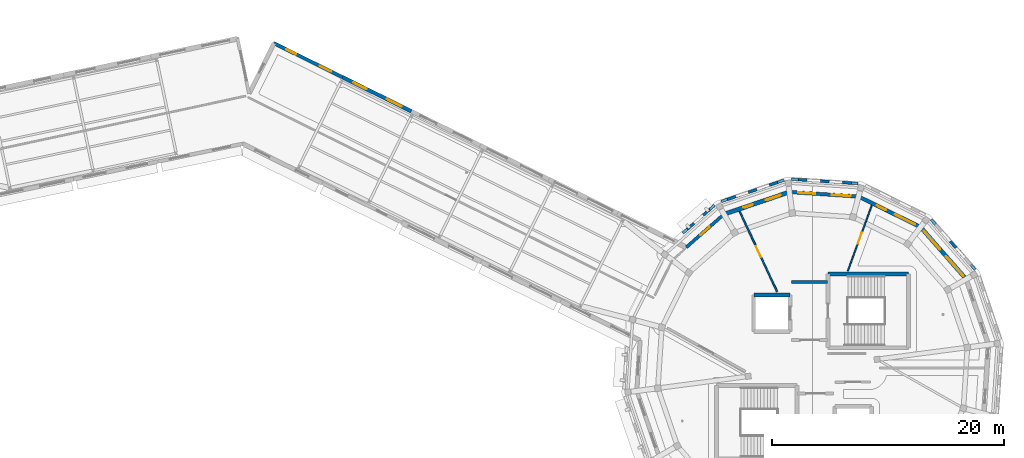
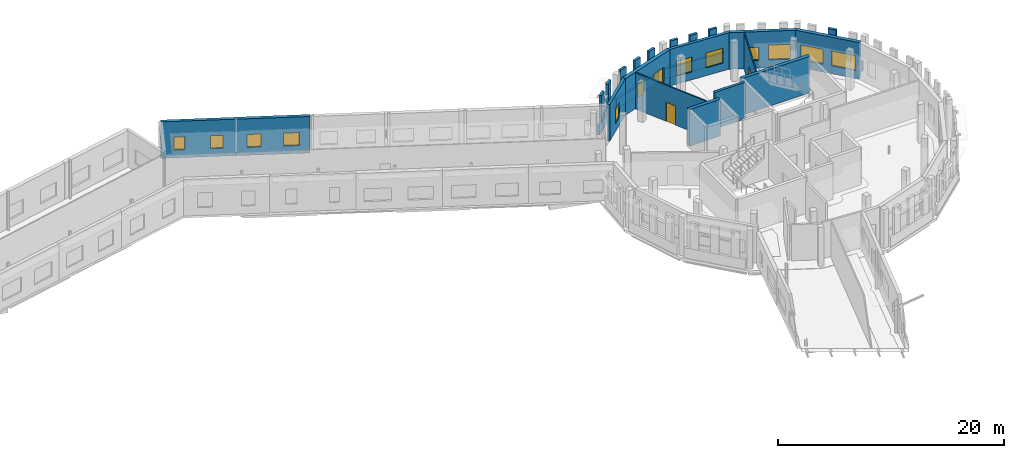
# One storey, part 71 of 90: 25 walls, 13 windows, 2 doors, 15 openings.
"""IFC4 building model written with IfcOpenShell, lengths in metres."""

from ifc_helpers import new_model, si_unit, direction, frame, frame_2d, origin, place, context, subcontext, project, spatial, rectangle, extrude, material, layer, layer_set, type_object, element, fill, save


model = new_model("IFC4")

# Units and contexts
model_context = context("Model", 3, precision=1e-05, world=origin(), true_north=direction((0.0, 1.0)))
body_context = subcontext(model_context, "Body", "Model", "MODEL_VIEW")
ifc_project = project(units=[si_unit("LENGTHUNIT", "METRE"), si_unit("AREAUNIT", "SQUARE_METRE"), si_unit("VOLUMEUNIT", "CUBIC_METRE"), si_unit("PLANEANGLEUNIT", "RADIAN"), si_unit("MASSUNIT", "GRAM", prefix="KILO")], contexts=[model_context])

# Site, building, storey
site_placement = place(None, origin())
site = spatial("IfcSite", under=ifc_project, at=site_placement, CompositionType="ELEMENT")
building_placement = place(site_placement, origin())
building = spatial("IfcBuilding", under=site, at=building_placement, Name="Wrenclough Park School", CompositionType="ELEMENT")
storey_placement = place(building_placement, frame((0.0, 0.0, 8.39990234375)))
storey = spatial("IfcBuildingStorey", under=building, at=storey_placement, Name="L02", CompositionType="ELEMENT", Elevation=8.39990234375)

# Walls
ifc_material_1 = material(Name="Perforated open-bond Staffordshire and Manchester brick screen pier", Category="masonry")
ifc_layer_1 = layer(ifc_material_1, 0.2451171875)
ifc_layer_set_1 = layer_set([ifc_layer_1], Name="Perforated open-bond Staffordshire and Manchester brick screen pier")
wall_type_1 = type_object("IfcWallType", Name="ENV-BS-PR245", PredefinedType="ELEMENTEDWALL", material=ifc_layer_set_1)
wall_1_placement = place(storey_placement, frame((186.856201171875, 103.830078125, 1.090087890625), z_axis=(0.0, 0.0, 1.0), x_axis=(-0.659345470196, 0.751840109951, 0.0)))
element("IfcWall", 1, at=wall_1_placement, inside=storey, type_object=wall_type_1, Name="D5 L02 perforated brick screen pier 0590", PredefinedType="ELEMENTEDWALL", context=body_context, shape_type="SweptSolid", body=[
    extrude(rectangle(XDim=0.76025390625, YDim=0.2451171875, at=frame_2d((0.380126953125, 0.0))), origin(), (0.0, 0.0, 1.0), 2.85009765625),
])
for number, where, z_axis, x_axis, name in (
    (2, (177.8388671875, 109.416748046875, 1.090087890625), (0.0, 0.0, 1.0), (-0.997850066036, 0.065538124105, 0.0), "D5 L02 perforated brick screen pier 0595"),
    (3, (175.93212890625, 109.541748046875, 1.090087890625), (0.0, 0.0, 1.0), (-0.997850066036, 0.065538124105, 0.0), "D5 L02 perforated brick screen pier 0596"),
    (4, (174.025390625, 109.666748046875, 1.090087890625), (0.0, 0.0, 1.0), (-0.997850066036, 0.065538124105, 0.0), "D5 L02 perforated brick screen pier 0597"),
):
    element("IfcWall", number, at=place(storey_placement, frame(where, z_axis=z_axis, x_axis=x_axis)), inside=storey, type_object=wall_type_1, Name=name, PredefinedType="ELEMENTEDWALL", context=body_context, shape_type="SweptSolid", body=[
        extrude(rectangle(XDim=0.760009765625, YDim=0.2451171875, at=frame_2d((0.3798828125, 0.0))), origin(), (0.0, 0.0, 1.0), 2.85009765625),
    ])
wall_2_placement = place(storey_placement, frame((171.49365234375, 109.48291015625, 1.090087890625), z_axis=(0.0, 0.0, 1.0), x_axis=(-0.946966478525, -0.321332364617, 0.0)))
element("IfcWall", 5, at=wall_2_placement, inside=storey, type_object=wall_type_1, Name="D5 L02 perforated brick screen pier 0598", PredefinedType="ELEMENTEDWALL", context=body_context, shape_type="SweptSolid", body=[
    extrude(rectangle(XDim=0.759765625, YDim=0.2451171875, at=frame_2d((0.3798828125, 0.0))), origin(), (0.0, 0.0, 1.0), 2.85009765625),
])
wall_3_placement = place(storey_placement, frame((169.684326171875, 108.86865234375, 1.090087890625), z_axis=(0.0, 0.0, 1.0), x_axis=(-0.946999642396, -0.32123461411, 0.0)))
element("IfcWall", 6, at=wall_3_placement, inside=storey, type_object=wall_type_1, Name="D5 L02 perforated brick screen pier 0599", PredefinedType="ELEMENTEDWALL", context=body_context, shape_type="SweptSolid", body=[
    extrude(rectangle(XDim=0.760009765625, YDim=0.2451171875, at=frame_2d((0.3798828125, 0.0))), origin(), (0.0, 0.0, 1.0), 2.85009765625),
])
wall_4_placement = place(storey_placement, frame((167.875, 108.25439453125, 1.090087890625), z_axis=(0.0, 0.0, 1.0), x_axis=(-0.946966478525, -0.321332364617, 0.0)))
element("IfcWall", 7, at=wall_4_placement, inside=storey, type_object=wall_type_1, Name="D5 L02 perforated brick screen pier 0600", PredefinedType="ELEMENTEDWALL", context=body_context, shape_type="SweptSolid", body=[
    extrude(rectangle(XDim=0.759765625, YDim=0.2451171875, at=frame_2d((0.3798828125, 0.0))), origin(), (0.0, 0.0, 1.0), 2.85009765625),
])
for number, where, z_axis, x_axis, name in (
    (8, (165.64501953125, 107.14990234375, 1.090087890625), (0.0, 0.0, 1.0), (-0.75189894603, -0.659278374406, 0.0), "D5 L02 perforated brick screen pier 0601"),
    (9, (164.2861328125, 105.958251953125, 1.090087890625), (0.0, 0.0, 1.0), (-0.751759112871, -0.659437818308, 0.0), "D5 L02 perforated brick screen pier 0602"),
):
    element("IfcWall", number, at=place(storey_placement, frame(where, z_axis=z_axis, x_axis=x_axis)), inside=storey, type_object=wall_type_1, Name=name, PredefinedType="ELEMENTEDWALL", context=body_context, shape_type="SweptSolid", body=[
        extrude(rectangle(XDim=0.759033203125, YDim=0.2451171875, at=frame_2d((0.37939453125, 0.0))), origin(), (0.0, 0.0, 1.0), 2.85009765625),
    ])
ifc_material_2 = material(Name="Open-bond Manchester multi-stock brick spandrel screen", Category="masonry")
ifc_layer_2 = layer(ifc_material_2, 0.22509765625)
ifc_layer_set_2 = layer_set([ifc_layer_2], Name="Open-bond Manchester multi-stock brick spandrel screen")
wall_type_2 = type_object("IfcWallType", Name="ENV-BS-SP225", PredefinedType="ELEMENTEDWALL", material=ifc_layer_set_2)
wall_5_placement = place(storey_placement, frame((188.495361328125, 101.961181640625, 0.0), z_axis=(0.0, 0.0, 1.0), x_axis=(-0.659360536521, 0.751826896884, 0.0)))
element("IfcWall", 10, at=wall_5_placement, inside=storey, type_object=wall_type_2, Name="D5 L02 open-bond brick screen spandrel 0161", PredefinedType="ELEMENTEDWALL", context=body_context, shape_type="SweptSolid", body=[
    extrude(rectangle(XDim=5.732177734375, YDim=0.22509765625, at=frame_2d((2.8662109375, 0.0))), origin(), (0.0, 0.0, 1.0), 1.090087890625),
])
wall_6_placement = place(storey_placement, frame((178.4130859375, 109.379150390625, 0.0), z_axis=(0.0, 0.0, 1.0), x_axis=(-0.99785804298, 0.065416558003, 0.0)))
element("IfcWall", 11, at=wall_6_placement, inside=storey, type_object=wall_type_2, Name="D5 L02 open-bond brick screen spandrel 0163", PredefinedType="ELEMENTEDWALL", context=body_context, shape_type="SweptSolid", body=[
    extrude(rectangle(XDim=5.732421875, YDim=0.22509765625, at=frame_2d((2.8662109375, 0.0))), origin(), (0.0, 0.0, 1.0), 1.090087890625),
])
wall_7_placement = place(storey_placement, frame((172.03857421875, 109.66796875, 0.0), z_axis=(0.0, 0.0, 1.0), x_axis=(-0.946918286925, -0.321474350277, 0.0)))
element("IfcWall", 12, at=wall_7_placement, inside=storey, type_object=wall_type_2, Name="D5 L02 open-bond brick screen spandrel 0164", PredefinedType="ELEMENTEDWALL", context=body_context, shape_type="SweptSolid", body=[
    extrude(rectangle(XDim=5.732177734375, YDim=0.22509765625, at=frame_2d((2.8662109375, 0.0))), origin(), (0.0, 0.0, 1.0), 1.090087890625),
])
wall_8_placement = place(storey_placement, frame((166.038818359375, 107.495361328125, 0.0), z_axis=(0.0, 0.0, 1.0), x_axis=(-0.751831370043, -0.659355436028, 0.0)))
element("IfcWall", 13, at=wall_8_placement, inside=storey, type_object=wall_type_2, Name="D5 L02 open-bond brick screen spandrel 0165", PredefinedType="ELEMENTEDWALL", context=body_context, shape_type="SweptSolid", body=[
    extrude(rectangle(XDim=3.6142578125, YDim=0.22509765625, at=frame_2d((1.80712890625, 0.0))), origin(), (0.0, 0.0, 1.0), 1.090087890625),
])

# Wall, opening, window
ifc_material_3 = material(Name="Link wing brick-faced cavity wall Concrete C32/40", Category="masonry")
ifc_layer_3 = layer(ifc_material_3, 0.27490234375)
ifc_layer_set_3 = layer_set([ifc_layer_3], Name="Link wing brick-faced cavity wall Concrete C32/40")
wall_type_3 = type_object("IfcWallType", Name="ENV-EW-275", PredefinedType="SOLIDWALL", material=ifc_layer_set_3)
wall_9_placement = place(storey_placement, frame((163.61572265625, 103.884521484375, 0.0), z_axis=(0.0, 0.0, 1.0), x_axis=(0.751801904745, 0.659389032379, 0.0)))
wall_9 = element("IfcWall", 14, at=wall_9_placement, inside=storey, type_object=wall_type_3, Name="L02 insulated brick external wall 0182", PredefinedType="SOLIDWALL", context=body_context, shape_type="SweptSolid", body=[
    extrude(rectangle(XDim=4.31689453125, YDim=0.27490234375, at=frame_2d((2.158447265625, 0.0))), origin(), (0.0, 0.0, 1.0), 3.940185546875),
])
opening_1_placement = place(wall_9_placement, frame((1.63330078125, 0.0, 0.85009765625)))
opening_1 = element("IfcOpeningElement", 15, at=opening_1_placement, cuts=wall_9, Name="Opening WN-14", PredefinedType="OPENING", context=body_context, shape_type="SweptSolid", body=[
    extrude(rectangle(XDim=1.050048828125, YDim=1.60009765625, at=frame_2d((0.52490234375, 0.800048828125))), frame((0.0, 0.1474609375, 0.0), z_axis=(0.0, -1.0, 0.0), x_axis=(1.0, 0.0, 0.0)), (0.0, 0.0, 1.0), 0.294921875),
])
ifc_material_4 = material(Name="Thermally broken aluminium and double-glazed low-e glass", Category="aluminium")
window_type_1 = type_object("IfcWindowType", Name="ENV-WN-14", PartitioningType="SINGLE_PANEL", PredefinedType="WINDOW", material=ifc_material_4)
window_1_placement = place(opening_1_placement, origin())
window_1 = element("IfcWindow", 16, at=window_1_placement, inside=storey, type_object=window_type_1, Name="L02 scheduled facade window 0293", OverallHeight=1.60009765625, OverallWidth=1.050048828125, PartitioningType="SINGLE_PANEL", PredefinedType="WINDOW", context=body_context, shape_type="SweptSolid", body=[
    extrude(rectangle(XDim=1.050048828125, YDim=1.60009765625, at=frame_2d((0.52490234375, 0.800048828125))), frame((0.0, 0.030029296875, 0.0), z_axis=(0.0, -1.0, 0.0), x_axis=(1.0, 0.0, 0.0)), (0.0, 0.0, 1.0), 0.06005859375),
])
fill(opening_1, window_1)

# Wall, openings, windows
ifc_material_5 = material(Name="Manchester multi-stock brick and Concrete C32/40 inner leaf", Category="masonry")
ifc_layer_4 = layer(ifc_material_5, 0.300048828125)
ifc_layer_set_4 = layer_set([ifc_layer_4], Name="Manchester multi-stock brick and Concrete C32/40 inner leaf")
wall_type_4 = type_object("IfcWallType", Name="ENV-EW-300", PredefinedType="SOLIDWALL", material=ifc_layer_set_4)
wall_10_placement = place(storey_placement, frame((128.094482421875, 121.4619140625, 0.0), z_axis=(0.0, 0.0, 1.0), x_axis=(0.896274950862, -0.443498830277, 0.0)))
wall_10 = element("IfcWall", 17, at=wall_10_placement, inside=storey, type_object=wall_type_4, Name="L02 insulated brick external wall 0176", PredefinedType="SOLIDWALL", context=body_context, shape_type="SweptSolid", body=[
    extrude(rectangle(XDim=6.605224609375, YDim=0.300048828125, at=frame_2d((3.302734375, 0.0))), origin(), (0.0, 0.0, 1.0), 3.940185546875),
])
opening_2_placement = place(wall_10_placement, frame((1.176513671875, 0.0, 0.85009765625)))
opening_2 = element("IfcOpeningElement", 18, at=opening_2_placement, cuts=wall_10, Name="Opening WN-02", PredefinedType="OPENING", context=body_context, shape_type="SweptSolid", body=[
    extrude(rectangle(XDim=0.949951171875, YDim=1.39990234375, at=frame_2d((0.47509765625, 0.699951171875))), frame((0.0, 0.159912109375, 0.0), z_axis=(0.0, -1.0, 0.0), x_axis=(1.0, 0.0, 0.0)), (0.0, 0.0, 1.0), 0.320068359375),
])
opening_3_placement = place(wall_10_placement, frame((4.404052734375, 0.0, 0.85009765625)))
opening_3 = element("IfcOpeningElement", 19, at=opening_3_placement, cuts=wall_10, Name="Opening WN-03", PredefinedType="OPENING", context=body_context, shape_type="SweptSolid", body=[
    extrude(rectangle(XDim=1.10009765625, YDim=1.39990234375, at=frame_2d((0.550048828125, 0.699951171875))), frame((0.0, 0.159912109375, 0.0), z_axis=(0.0, -1.0, 0.0), x_axis=(1.0, 0.0, 0.0)), (0.0, 0.0, 1.0), 0.320068359375),
])
window_type_2 = type_object("IfcWindowType", Name="ENV-WN-02", PartitioningType="SINGLE_PANEL", PredefinedType="WINDOW", material=ifc_material_4)
window_2_placement = place(opening_2_placement, origin())
window_2 = element("IfcWindow", 20, at=window_2_placement, inside=storey, type_object=window_type_2, Name="L02 scheduled facade window 0281", OverallHeight=1.39990234375, OverallWidth=0.949951171875, PartitioningType="SINGLE_PANEL", PredefinedType="WINDOW", context=body_context, shape_type="SweptSolid", body=[
    extrude(rectangle(XDim=0.949951171875, YDim=1.39990234375, at=frame_2d((0.47509765625, 0.699951171875))), frame((0.0, 0.030029296875, 0.0), z_axis=(0.0, -1.0, 0.0), x_axis=(1.0, 0.0, 0.0)), (0.0, 0.0, 1.0), 0.06005859375),
])
fill(opening_2, window_2)
window_type_3 = type_object("IfcWindowType", Name="ENV-WN-03", PartitioningType="SINGLE_PANEL", PredefinedType="WINDOW", material=ifc_material_4)
window_3_placement = place(opening_3_placement, origin())
window_3 = element("IfcWindow", 21, at=window_3_placement, inside=storey, type_object=window_type_3, Name="L02 scheduled facade window 0282", OverallHeight=1.39990234375, OverallWidth=1.10009765625, PartitioningType="SINGLE_PANEL", PredefinedType="WINDOW", context=body_context, shape_type="SweptSolid", body=[
    extrude(rectangle(XDim=1.10009765625, YDim=1.39990234375, at=frame_2d((0.550048828125, 0.699951171875))), frame((0.0, 0.030029296875, 0.0), z_axis=(0.0, -1.0, 0.0), x_axis=(1.0, 0.0, 0.0)), (0.0, 0.0, 1.0), 0.06005859375),
])
fill(opening_3, window_3)

wall_11_placement = place(storey_placement, frame((172.505859375, 108.64697265625, 0.0), z_axis=(0.0, 0.0, 1.0), x_axis=(0.997858658418, -0.065407169492, 0.0)))
wall_11 = element("IfcWall", 22, at=wall_11_placement, inside=storey, type_object=wall_type_4, Name="L02 insulated brick external wall 0184", PredefinedType="SOLIDWALL", context=body_context, shape_type="SweptSolid", body=[
    extrude(rectangle(XDim=5.9609375, YDim=0.300048828125, at=frame_2d((2.98046875, 0.0))), origin(), (0.0, 0.0, 1.0), 3.940185546875),
])
opening_4_placement = place(wall_11_placement, frame((0.740234375, 0.0, 0.85009765625)))
opening_4 = element("IfcOpeningElement", 23, at=opening_4_placement, cuts=wall_11, Name="Opening WN-17", PredefinedType="OPENING", context=body_context, shape_type="SweptSolid", body=[
    extrude(rectangle(XDim=1.5, YDim=1.60009765625, at=frame_2d((0.75, 0.800048828125))), frame((0.0, 0.159912109375, 0.0), z_axis=(0.0, -1.0, 0.0), x_axis=(1.0, 0.0, 0.0)), (0.0, 0.0, 1.0), 0.320068359375),
])
opening_5_placement = place(wall_11_placement, frame((3.645751953125, 0.0, 0.85009765625)))
opening_5 = element("IfcOpeningElement", 24, at=opening_5_placement, cuts=wall_11, Name="Opening WN-18", PredefinedType="OPENING", context=body_context, shape_type="SweptSolid", body=[
    extrude(rectangle(XDim=1.64990234375, YDim=1.60009765625, at=frame_2d((0.824951171875, 0.800048828125))), frame((0.0, 0.159912109375, 0.0), z_axis=(0.0, -1.0, 0.0), x_axis=(1.0, 0.0, 0.0)), (0.0, 0.0, 1.0), 0.320068359375),
])
window_type_4 = type_object("IfcWindowType", Name="ENV-WN-17", PartitioningType="DOUBLE_PANEL_VERTICAL", PredefinedType="WINDOW", material=ifc_material_4)
window_4_placement = place(opening_4_placement, origin())
window_4 = element("IfcWindow", 25, at=window_4_placement, inside=storey, type_object=window_type_4, Name="L02 scheduled facade window 0296", OverallHeight=1.60009765625, OverallWidth=1.5, PartitioningType="SINGLE_PANEL", PredefinedType="WINDOW", context=body_context, shape_type="SweptSolid", body=[
    extrude(rectangle(XDim=1.5, YDim=1.60009765625, at=frame_2d((0.75, 0.800048828125))), frame((0.0, 0.030029296875, 0.0), z_axis=(0.0, -1.0, 0.0), x_axis=(1.0, 0.0, 0.0)), (0.0, 0.0, 1.0), 0.06005859375),
])
fill(opening_4, window_4)
window_type_5 = type_object("IfcWindowType", Name="ENV-WN-18", PartitioningType="DOUBLE_PANEL_VERTICAL", PredefinedType="WINDOW", material=ifc_material_4)
window_5_placement = place(opening_5_placement, origin())
window_5 = element("IfcWindow", 26, at=window_5_placement, inside=storey, type_object=window_type_5, Name="L02 scheduled facade window 0297", OverallHeight=1.60009765625, OverallWidth=1.64990234375, PartitioningType="SINGLE_PANEL", PredefinedType="WINDOW", context=body_context, shape_type="SweptSolid", body=[
    extrude(rectangle(XDim=1.64990234375, YDim=1.60009765625, at=frame_2d((0.824951171875, 0.800048828125))), frame((0.0, 0.030029296875, 0.0), z_axis=(0.0, -1.0, 0.0), x_axis=(1.0, 0.0, 0.0)), (0.0, 0.0, 1.0), 0.06005859375),
])
fill(opening_5, window_5)

ifc_layer_5 = layer(ifc_material_5, 0.324951171875)
ifc_layer_set_5 = layer_set([ifc_layer_5], Name="Manchester multi-stock brick and Concrete C32/40 inner leaf")
wall_type_5 = type_object("IfcWallType", Name="ENV-EW-325", PredefinedType="SOLIDWALL", material=ifc_layer_set_5)
wall_12_placement = place(storey_placement, frame((134.0146484375, 118.532470703125, 0.0), z_axis=(0.0, 0.0, 1.0), x_axis=(0.896260258603, -0.443528520897, 0.0)))
wall_12 = element("IfcWall", 27, at=wall_12_placement, inside=storey, type_object=wall_type_5, Name="L02 insulated brick external wall 0177", PredefinedType="SOLIDWALL", context=body_context, shape_type="SweptSolid", body=[
    extrude(rectangle(XDim=6.60546875, YDim=0.324951171875, at=frame_2d((3.302734375, 0.0))), origin(), (0.0, 0.0, 1.0), 3.940185546875),
])
opening_6_placement = place(wall_12_placement, frame((1.0263671875, 0.0, 0.85009765625)))
opening_6 = element("IfcOpeningElement", 28, at=opening_6_placement, cuts=wall_12, Name="Opening WN-04", PredefinedType="OPENING", context=body_context, shape_type="SweptSolid", body=[
    extrude(rectangle(XDim=1.25, YDim=1.39990234375, at=frame_2d((0.625, 0.699951171875))), frame((0.0, 0.17236328125, 0.0), z_axis=(0.0, -1.0, 0.0), x_axis=(1.0, 0.0, 0.0)), (0.0, 0.0, 1.0), 0.344970703125),
])
opening_7_placement = place(wall_12_placement, frame((4.25390625, 0.0, 0.85009765625)))
opening_7 = element("IfcOpeningElement", 29, at=opening_7_placement, cuts=wall_12, Name="Opening WN-05", PredefinedType="OPENING", context=body_context, shape_type="SweptSolid", body=[
    extrude(rectangle(XDim=1.39990234375, YDim=1.39990234375, at=frame_2d((0.699951171875, 0.699951171875))), frame((0.0, 0.17236328125, 0.0), z_axis=(0.0, -1.0, 0.0), x_axis=(1.0, 0.0, 0.0)), (0.0, 0.0, 1.0), 0.344970703125),
])
window_type_6 = type_object("IfcWindowType", Name="ENV-WN-04", PartitioningType="SINGLE_PANEL", PredefinedType="WINDOW", material=ifc_material_4)
window_6_placement = place(opening_6_placement, origin())
window_6 = element("IfcWindow", 30, at=window_6_placement, inside=storey, type_object=window_type_6, Name="L02 scheduled facade window 0283", OverallHeight=1.39990234375, OverallWidth=1.25, PartitioningType="SINGLE_PANEL", PredefinedType="WINDOW", context=body_context, shape_type="SweptSolid", body=[
    extrude(rectangle(XDim=1.25, YDim=1.39990234375, at=frame_2d((0.625, 0.699951171875))), frame((0.0, 0.030029296875, 0.0), z_axis=(0.0, -1.0, 0.0), x_axis=(1.0, 0.0, 0.0)), (0.0, 0.0, 1.0), 0.06005859375),
])
fill(opening_6, window_6)
window_type_7 = type_object("IfcWindowType", Name="ENV-WN-05", PartitioningType="SINGLE_PANEL", PredefinedType="WINDOW", material=ifc_material_4)
window_7_placement = place(opening_7_placement, origin())
window_7 = element("IfcWindow", 31, at=window_7_placement, inside=storey, type_object=window_type_7, Name="L02 scheduled facade window 0284", OverallHeight=1.39990234375, OverallWidth=1.39990234375, PartitioningType="SINGLE_PANEL", PredefinedType="WINDOW", context=body_context, shape_type="SweptSolid", body=[
    extrude(rectangle(XDim=1.39990234375, YDim=1.39990234375, at=frame_2d((0.699951171875, 0.699951171875))), frame((0.0, 0.030029296875, 0.0), z_axis=(0.0, -1.0, 0.0), x_axis=(1.0, 0.0, 0.0)), (0.0, 0.0, 1.0), 0.06005859375),
])
fill(opening_7, window_7)

wall_13_placement = place(storey_placement, frame((178.4541015625, 108.257080078125, 0.0), z_axis=(0.0, 0.0, 1.0), x_axis=(0.896879104746, -0.442275786664, 0.0)))
wall_13 = element("IfcWall", 32, at=wall_13_placement, inside=storey, type_object=wall_type_5, Name="L02 insulated brick external wall 0185", PredefinedType="SOLIDWALL", context=body_context, shape_type="SweptSolid", body=[
    extrude(rectangle(XDim=5.961181640625, YDim=0.324951171875, at=frame_2d((2.98046875, 0.0))), origin(), (0.0, 0.0, 1.0), 3.940185546875),
])
opening_8_placement = place(wall_13_placement, frame((1.780517578125, 0.0, 0.85009765625)))
opening_8 = element("IfcOpeningElement", 33, at=opening_8_placement, cuts=wall_13, Name="Opening WN-01", PredefinedType="OPENING", context=body_context, shape_type="SweptSolid", body=[
    extrude(rectangle(XDim=0.85009765625, YDim=1.39990234375, at=frame_2d((0.425048828125, 0.699951171875))), frame((0.0, 0.17236328125, 0.0), z_axis=(0.0, -1.0, 0.0), x_axis=(1.0, 0.0, 0.0)), (0.0, 0.0, 1.0), 0.344970703125),
])
opening_9_placement = place(wall_13_placement, frame((3.495849609375, 0.0, 0.85009765625)))
opening_9 = element("IfcOpeningElement", 34, at=opening_9_placement, cuts=wall_13, Name="Opening WN-20", PredefinedType="OPENING", context=body_context, shape_type="SweptSolid", body=[
    extrude(rectangle(XDim=1.949951171875, YDim=1.60009765625, at=frame_2d((0.97509765625, 0.800048828125))), frame((0.0, 0.17236328125, 0.0), z_axis=(0.0, -1.0, 0.0), x_axis=(1.0, 0.0, 0.0)), (0.0, 0.0, 1.0), 0.344970703125),
])
window_type_8 = type_object("IfcWindowType", Name="ENV-WN-01", PartitioningType="SINGLE_PANEL", PredefinedType="WINDOW", material=ifc_material_4)
window_8_placement = place(opening_8_placement, origin())
window_8 = element("IfcWindow", 35, at=window_8_placement, inside=storey, type_object=window_type_8, Name="L02 scheduled facade window 0298", OverallHeight=1.39990234375, OverallWidth=0.85009765625, PartitioningType="SINGLE_PANEL", PredefinedType="WINDOW", context=body_context, shape_type="SweptSolid", body=[
    extrude(rectangle(XDim=0.85009765625, YDim=1.39990234375, at=frame_2d((0.425048828125, 0.699951171875))), frame((0.0, 0.030029296875, 0.0), z_axis=(0.0, -1.0, 0.0), x_axis=(1.0, 0.0, 0.0)), (0.0, 0.0, 1.0), 0.06005859375),
])
fill(opening_8, window_8)
window_type_9 = type_object("IfcWindowType", Name="ENV-WN-20", PartitioningType="DOUBLE_PANEL_VERTICAL", PredefinedType="WINDOW", material=ifc_material_4)
window_9_placement = place(opening_9_placement, origin())
window_9 = element("IfcWindow", 36, at=window_9_placement, inside=storey, type_object=window_type_9, Name="L02 scheduled facade window 0299", OverallHeight=1.60009765625, OverallWidth=1.949951171875, PartitioningType="SINGLE_PANEL", PredefinedType="WINDOW", context=body_context, shape_type="SweptSolid", body=[
    extrude(rectangle(XDim=1.949951171875, YDim=1.60009765625, at=frame_2d((0.97509765625, 0.800048828125))), frame((0.0, 0.030029296875, 0.0), z_axis=(0.0, -1.0, 0.0), x_axis=(1.0, 0.0, 0.0)), (0.0, 0.0, 1.0), 0.06005859375),
])
fill(opening_9, window_9)

ifc_material_6 = material(Name="Staffordshire blue-grey brick and Concrete C35/45 inner leaf", Category="masonry")
ifc_layer_6 = layer(ifc_material_6, 0.35009765625)
ifc_layer_set_6 = layer_set([ifc_layer_6], Name="Staffordshire blue-grey brick and Concrete C35/45 inner leaf")
wall_type_6 = type_object("IfcWallType", Name="ENV-EW-350", PredefinedType="SOLIDWALL", material=ifc_layer_set_6)
wall_14_placement = place(storey_placement, frame((183.800537109375, 105.62060546875, 0.0), z_axis=(0.0, 0.0, 1.0), x_axis=(0.659353757459, -0.751832842143, 0.0)))
wall_14 = element("IfcWall", 37, at=wall_14_placement, inside=storey, type_object=wall_type_6, Name="L02 insulated brick external wall 0186", PredefinedType="SOLIDWALL", context=body_context, shape_type="SweptSolid", body=[
    extrude(rectangle(XDim=5.9609375, YDim=0.35009765625, at=frame_2d((2.98046875, 0.0))), origin(), (0.0, 0.0, 1.0), 3.940185546875),
])
opening_10_placement = place(wall_14_placement, frame((0.440185546875, 0.0, 0.85009765625)))
opening_10 = element("IfcOpeningElement", 38, at=opening_10_placement, cuts=wall_14, Name="Opening WN-21", PredefinedType="OPENING", context=body_context, shape_type="SweptSolid", body=[
    extrude(rectangle(XDim=2.10009765625, YDim=1.60009765625, at=frame_2d((1.050048828125, 0.800048828125))), frame((0.0, 0.18505859375, 0.0), z_axis=(0.0, -1.0, 0.0), x_axis=(1.0, 0.0, 0.0)), (0.0, 0.0, 1.0), 0.3701171875),
])
opening_11_placement = place(wall_14_placement, frame((3.345703125, 0.0, 0.85009765625)))
opening_11 = element("IfcOpeningElement", 39, at=opening_11_placement, cuts=wall_14, Name="Opening WN-22", PredefinedType="OPENING", context=body_context, shape_type="SweptSolid", body=[
    extrude(rectangle(XDim=2.25, YDim=1.60009765625, at=frame_2d((1.125, 0.800048828125))), frame((0.0, 0.18505859375, 0.0), z_axis=(0.0, -1.0, 0.0), x_axis=(1.0, 0.0, 0.0)), (0.0, 0.0, 1.0), 0.3701171875),
])
window_type_10 = type_object("IfcWindowType", Name="ENV-WN-21", PartitioningType="DOUBLE_PANEL_VERTICAL", PredefinedType="WINDOW", material=ifc_material_4)
window_10_placement = place(opening_10_placement, origin())
window_10 = element("IfcWindow", 40, at=window_10_placement, inside=storey, type_object=window_type_10, Name="L02 scheduled facade window 0300", OverallHeight=1.60009765625, OverallWidth=2.10009765625, PartitioningType="SINGLE_PANEL", PredefinedType="WINDOW", context=body_context, shape_type="SweptSolid", body=[
    extrude(rectangle(XDim=2.10009765625, YDim=1.60009765625, at=frame_2d((1.050048828125, 0.800048828125))), frame((0.0, 0.030029296875, 0.0), z_axis=(0.0, -1.0, 0.0), x_axis=(1.0, 0.0, 0.0)), (0.0, 0.0, 1.0), 0.06005859375),
])
fill(opening_10, window_10)
window_type_11 = type_object("IfcWindowType", Name="ENV-WN-22", PartitioningType="DOUBLE_PANEL_VERTICAL", PredefinedType="WINDOW", material=ifc_material_4)
window_11_placement = place(opening_11_placement, origin())
window_11 = element("IfcWindow", 41, at=window_11_placement, inside=storey, type_object=window_type_11, Name="L02 scheduled facade window 0301", OverallHeight=1.60009765625, OverallWidth=2.25, PartitioningType="SINGLE_PANEL", PredefinedType="WINDOW", context=body_context, shape_type="SweptSolid", body=[
    extrude(rectangle(XDim=2.25, YDim=1.60009765625, at=frame_2d((1.125, 0.800048828125))), frame((0.0, 0.030029296875, 0.0), z_axis=(0.0, -1.0, 0.0), x_axis=(1.0, 0.0, 0.0)), (0.0, 0.0, 1.0), 0.06005859375),
])
fill(opening_11, window_11)

ifc_material_7 = material(Name="Faceted courtyard brick-cavity wall Concrete C35/45", Category="masonry")
ifc_layer_7 = layer(ifc_material_7, 0.364990234375)
ifc_layer_set_7 = layer_set([ifc_layer_7], Name="Faceted courtyard brick-cavity wall Concrete C35/45")
wall_type_7 = type_object("IfcWallType", Name="ENV-EW-365", PredefinedType="SOLIDWALL", material=ifc_layer_set_7)
wall_15_placement = place(storey_placement, frame((166.861083984375, 106.73095703125, 0.0), z_axis=(0.0, 0.0, 1.0), x_axis=(0.94693663561, 0.321420298269, 0.0)))
wall_15 = element("IfcWall", 42, at=wall_15_placement, inside=storey, type_object=wall_type_7, Name="L02 insulated brick external wall 0183", PredefinedType="SOLIDWALL", context=body_context, shape_type="SweptSolid", body=[
    extrude(rectangle(XDim=5.961181640625, YDim=0.364990234375, at=frame_2d((2.98046875, 0.0))), origin(), (0.0, 0.0, 1.0), 3.940185546875),
])
opening_12_placement = place(wall_15_placement, frame((1.780517578125, 0.0, 0.85009765625)))
opening_12 = element("IfcOpeningElement", 43, at=opening_12_placement, cuts=wall_15, Name="Opening WN-01", PredefinedType="OPENING", context=body_context, shape_type="SweptSolid", body=[
    extrude(rectangle(XDim=0.85009765625, YDim=1.39990234375, at=frame_2d((0.425048828125, 0.699951171875))), frame((0.0, 0.1923828125, 0.0), z_axis=(0.0, -1.0, 0.0), x_axis=(1.0, 0.0, 0.0)), (0.0, 0.0, 1.0), 0.385009765625),
])
opening_13_placement = place(wall_15_placement, frame((3.7958984375, 0.0, 0.85009765625)))
opening_13 = element("IfcOpeningElement", 44, at=opening_13_placement, cuts=wall_15, Name="Opening WN-16", PredefinedType="OPENING", context=body_context, shape_type="SweptSolid", body=[
    extrude(rectangle(XDim=1.35009765625, YDim=1.60009765625, at=frame_2d((0.675048828125, 0.800048828125))), frame((0.0, 0.1923828125, 0.0), z_axis=(0.0, -1.0, 0.0), x_axis=(1.0, 0.0, 0.0)), (0.0, 0.0, 1.0), 0.385009765625),
])
window_12_placement = place(opening_12_placement, origin())
window_12 = element("IfcWindow", 45, at=window_12_placement, inside=storey, type_object=window_type_8, Name="L02 scheduled facade window 0294", OverallHeight=1.39990234375, OverallWidth=0.85009765625, PartitioningType="SINGLE_PANEL", PredefinedType="WINDOW", context=body_context, shape_type="SweptSolid", body=[
    extrude(rectangle(XDim=0.85009765625, YDim=1.39990234375, at=frame_2d((0.425048828125, 0.699951171875))), frame((0.0, 0.030029296875, 0.0), z_axis=(0.0, -1.0, 0.0), x_axis=(1.0, 0.0, 0.0)), (0.0, 0.0, 1.0), 0.06005859375),
])
fill(opening_12, window_12)
window_type_12 = type_object("IfcWindowType", Name="ENV-WN-16", PartitioningType="SINGLE_PANEL", PredefinedType="WINDOW", material=ifc_material_4)
window_13_placement = place(opening_13_placement, origin())
window_13 = element("IfcWindow", 46, at=window_13_placement, inside=storey, type_object=window_type_12, Name="L02 scheduled facade window 0295", OverallHeight=1.60009765625, OverallWidth=1.35009765625, PartitioningType="SINGLE_PANEL", PredefinedType="WINDOW", context=body_context, shape_type="SweptSolid", body=[
    extrude(rectangle(XDim=1.35009765625, YDim=1.60009765625, at=frame_2d((0.675048828125, 0.800048828125))), frame((0.0, 0.030029296875, 0.0), z_axis=(0.0, -1.0, 0.0), x_axis=(1.0, 0.0, 0.0)), (0.0, 0.0, 1.0), 0.06005859375),
])
fill(opening_13, window_13)

# Walls
ifc_material_8 = material(Name="Concrete C35/45", Category="concrete")
ifc_layer_8 = layer(ifc_material_8, 0.25)
ifc_layer_set_8 = layer_set([ifc_layer_8], Name="Concrete C35/45")
wall_type_8 = type_object("IfcWallType", Name="INT-CW-250", PredefinedType="SHEAR", material=ifc_layer_set_8)
wall_16_placement = place(storey_placement, frame((175.800048828125, 100.89990234375, 0.0), z_axis=(0.0, 0.0, 1.0), x_axis=(-1.0, 0.0, 0.0)))
element("IfcWall", 47, at=wall_16_placement, inside=storey, type_object=wall_type_8, Name="Core C6 L02 lobby fire wall north", PredefinedType="SHEAR", context=body_context, shape_type="SweptSolid", body=[
    extrude(rectangle(XDim=3.10009765625, YDim=0.25, at=frame_2d((1.550048828125, 0.0))), origin(), (0.0, 0.0, 1.0), 3.9501953125),
])
ifc_material_9 = material(Name="Concrete C40/50", Category="concrete")
ifc_layer_9 = layer(ifc_material_9, 0.340087890625)
ifc_layer_set_9 = layer_set([ifc_layer_9], Name="Concrete C40/50")
wall_type_9 = type_object("IfcWallType", Name="INT-CW-340", PredefinedType="SHEAR", material=ifc_layer_set_9)
wall_17_placement = place(storey_placement, frame((182.77001953125, 101.570068359375, 0.0), z_axis=(0.0, 0.0, 1.0), x_axis=(-1.0, 0.0, 0.0)))
element("IfcWall", 48, at=wall_17_placement, inside=storey, type_object=wall_type_9, Name="Core C6 L02 north shear wall", PredefinedType="SHEAR", context=body_context, shape_type="SweptSolid", body=[
    extrude(rectangle(XDim=6.93994140625, YDim=0.340087890625, at=frame_2d((3.469970703125, 0.0))), origin(), (0.0, 0.0, 1.0), 3.9501953125),
])
wall_18_placement = place(storey_placement, frame((172.570068359375, 99.77001953125, 0.0), z_axis=(0.0, 0.0, 1.0), x_axis=(-1.0, 0.0, 0.0)))
element("IfcWall", 49, at=wall_18_placement, inside=storey, type_object=wall_type_9, Name="Lift LFT-02 L02 north shaft wall", PredefinedType="SHEAR", context=body_context, shape_type="SweptSolid", body=[
    extrude(rectangle(XDim=3.14013671875, YDim=0.340087890625, at=frame_2d((1.570068359375, 0.0))), origin(), (0.0, 0.0, 1.0), 3.9501953125),
])

# Wall, opening, door
ifc_material_10 = material(Name="Lightweight fire-rated store partition", Category="gypsum")
ifc_layer_10 = layer(ifc_material_10, 0.110107421875)
ifc_layer_set_10 = layer_set([ifc_layer_10], Name="Lightweight fire-rated store partition")
wall_type_10 = type_object("IfcWallType", Name="INT-PW-110", PredefinedType="PARTITIONING", material=ifc_layer_set_10)
wall_19_placement = place(storey_placement, frame((179.591064453125, 107.4873046875, 0.0), z_axis=(0.0, 0.0, 1.0), x_axis=(-0.34203308638, -0.939687909798, 0.0)))
wall_19 = element("IfcWall", 50, at=wall_19_placement, inside=storey, type_object=wall_type_10, Name="L02 internal partition 0398", PredefinedType="PARTITIONING", context=body_context, shape_type="SweptSolid", body=[
    extrude(rectangle(XDim=6.01513671875, YDim=0.110107421875, at=frame_2d((3.007568359375, 0.0))), origin(), (0.0, 0.0, 1.0), 3.900146484375),
])
opening_14_placement = place(wall_19_placement, frame((2.507568359375, 0.0, 0.0)))
opening_14 = element("IfcOpeningElement", 51, at=opening_14_placement, cuts=wall_19, Name="Opening DR-L02-078", PredefinedType="OPENING", context=body_context, shape_type="SweptSolid", body=[
    extrude(rectangle(XDim=1.0, YDim=2.10009765625, at=frame_2d((0.5, 1.050048828125))), frame((0.0, 0.06494140625, 0.0), z_axis=(0.0, -1.0, 0.0), x_axis=(1.0, 0.0, 0.0)), (0.0, 0.0, 1.0), 0.130126953125),
])
ifc_material_11 = material(Name="Humanities classroom vision door assembly", Category="wood")
door_type_1 = type_object("IfcDoorType", Name="INT-DR-CL100", OperationType="NOTDEFINED", PredefinedType="DOOR", material=ifc_material_11)
door_1_placement = place(opening_14_placement, origin())
door_1 = element("IfcDoor", 52, at=door_1_placement, inside=storey, type_object=door_type_1, Name="Sixth Form Classroom 2 door DR-L02-078", OperationType="SINGLE_SWING_LEFT", OverallHeight=2.10009765625, OverallWidth=1.0, PredefinedType="DOOR", context=body_context, shape_type="SweptSolid", body=[
    extrude(rectangle(XDim=1.0, YDim=2.10009765625, at=frame_2d((0.5, 1.050048828125))), frame((0.0, 0.02490234375, 0.0), z_axis=(0.0, -1.0, 0.0), x_axis=(1.0, 0.0, 0.0)), (0.0, 0.0, 1.0), 0.050048828125),
])
fill(opening_14, door_1)

ifc_material_12 = material(Name="Moisture-resistant sanitary service wall", Category="gypsum")
ifc_layer_11 = layer(ifc_material_12, 0.139892578125)
ifc_layer_set_11 = layer_set([ifc_layer_11], Name="Moisture-resistant sanitary service wall")
wall_type_11 = type_object("IfcWallType", Name="INT-SV-140", PredefinedType="PLUMBINGWALL", material=ifc_layer_set_11)
wall_20_placement = place(storey_placement, frame((168.2177734375, 106.972412109375, 0.0), z_axis=(0.0, 0.0, 1.0), x_axis=(0.422626470609, -0.906303959133, 0.0)))
wall_20 = element("IfcWall", 53, at=wall_20_placement, inside=storey, type_object=wall_type_11, Name="L02 internal partition 0400", PredefinedType="PLUMBINGWALL", context=body_context, shape_type="SweptSolid", body=[
    extrude(rectangle(XDim=7.637939453125, YDim=0.139892578125, at=frame_2d((3.81884765625, 0.0))), origin(), (0.0, 0.0, 1.0), 3.900146484375),
])
opening_15_placement = place(wall_20_placement, frame((3.30908203125, 0.0, 0.0)))
opening_15 = element("IfcOpeningElement", 54, at=opening_15_placement, cuts=wall_20, Name="Opening DR-L02-079", PredefinedType="OPENING", context=body_context, shape_type="SweptSolid", body=[
    extrude(rectangle(XDim=1.02001953125, YDim=2.06005859375, at=frame_2d((0.510009765625, 1.030029296875))), frame((0.0, 0.079833984375, 0.0), z_axis=(0.0, -1.0, 0.0), x_axis=(1.0, 0.0, 0.0)), (0.0, 0.0, 1.0), 0.159912109375),
])
ifc_material_13 = material(Name="Accessible WC outward-opening fire door assembly", Category="wood")
door_type_2 = type_object("IfcDoorType", Name="INT-DR-AWC102", OperationType="NOTDEFINED", PredefinedType="DOOR", material=ifc_material_13)
door_2_placement = place(opening_15_placement, frame((1.02001953125, 0.0, 0.0), z_axis=(0.0, 0.0, 1.0), x_axis=(-1.0, 0.0, 0.0)))
door_2 = element("IfcDoor", 55, at=door_2_placement, inside=storey, type_object=door_type_2, Name="Accessible WC D5 Second door DR-L02-079", OperationType="SINGLE_SWING_RIGHT", OverallHeight=2.06005859375, OverallWidth=1.02001953125, PredefinedType="DOOR", context=body_context, shape_type="SweptSolid", body=[
    extrude(rectangle(XDim=1.02001953125, YDim=2.06005859375, at=frame_2d((0.510009765625, 1.030029296875))), frame((0.0, 0.02490234375, 0.0), z_axis=(0.0, -1.0, 0.0), x_axis=(1.0, 0.0, 0.0)), (0.0, 0.0, 1.0), 0.050048828125),
])
fill(opening_15, door_2)

save(model, "model.ifc")
